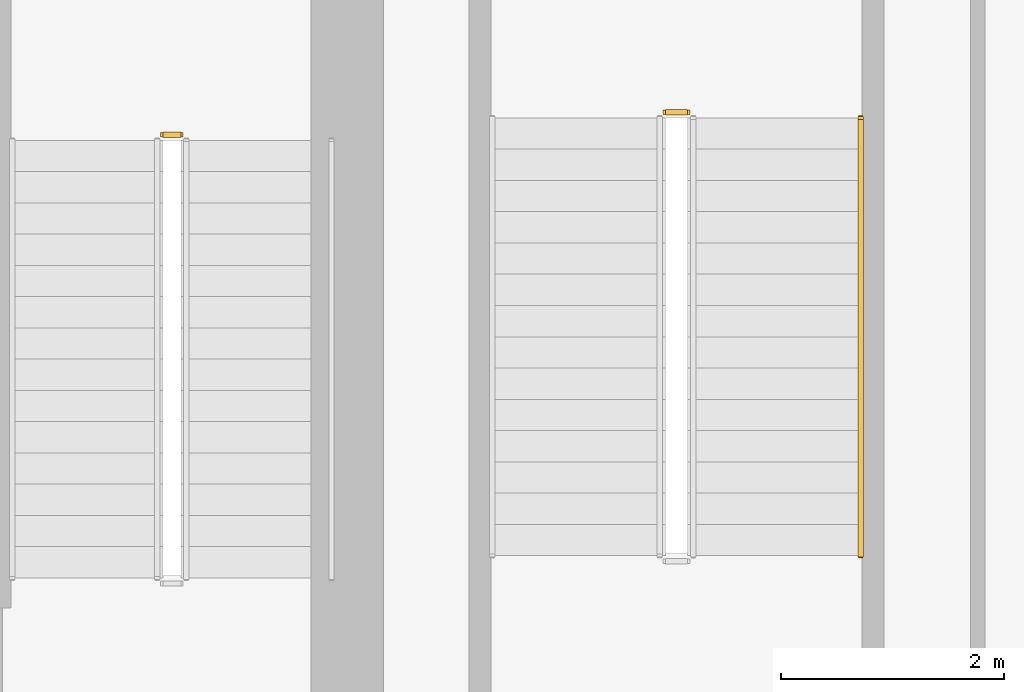
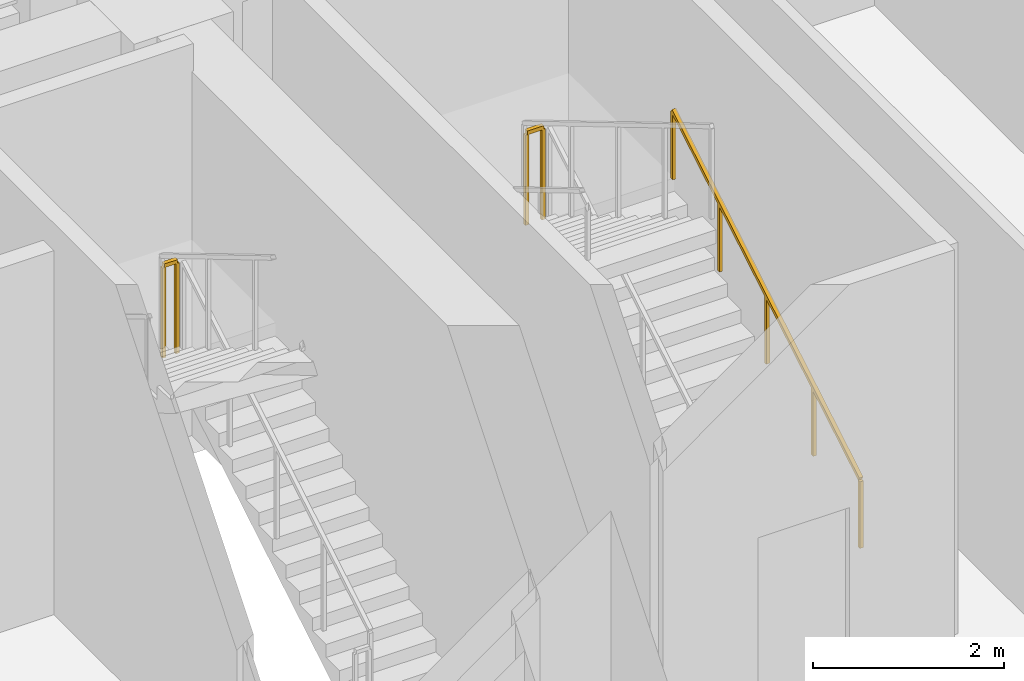
# One storey, part 13 of 14: 3 railings.
"""IFC4 building model written with IfcOpenShell, lengths in metres."""

from ifc_helpers import new_model, si_unit, direction, frame, origin, origin_2d, place, context, subcontext, project, spatial, rectangle, extrude, material, type_object, element, save


model = new_model("IFC4")

# Units and contexts
model_context = context("Model", 3, precision=1e-05, world=origin(), true_north=direction((0.0, 1.0)))
body_context = subcontext(model_context, "Body", "Model", "MODEL_VIEW")
ifc_project = project(units=[si_unit("LENGTHUNIT", "METRE"), si_unit("AREAUNIT", "SQUARE_METRE"), si_unit("VOLUMEUNIT", "CUBIC_METRE"), si_unit("PLANEANGLEUNIT", "RADIAN"), si_unit("MASSUNIT", "GRAM", prefix="KILO")], contexts=[model_context])

# Site, building, storey
site_placement = place(None, origin())
site = spatial("IfcSite", under=ifc_project, at=site_placement, CompositionType="ELEMENT")
building_placement = place(site_placement, origin())
building = spatial("IfcBuilding", under=site, at=building_placement, Name="Giltprow Tower", CompositionType="ELEMENT")
storey_placement = place(building_placement, frame((0.0, 0.0, 15.199951171875)))
storey = spatial("IfcBuildingStorey", under=building, at=storey_placement, Name="L04", CompositionType="ELEMENT", Elevation=15.199951171875)

# Railings
ifc_material = material(Name="Anodized bronze", Category="metal")
railing_type_1 = type_object("IfcRailingType", Name="RAIL-STAIR-GUARD-1200", PredefinedType="GUARDRAIL", material=ifc_material)
railing_1_placement = place(storey_placement, frame((49.06005859375, 43.52001953125, 2.5)))
element("IfcRailing", 1, at=railing_1_placement, inside=storey, type_object=railing_type_1, Name="L04 ST-3 stair guard 2", PredefinedType="GUARDRAIL", context=body_context, shape_type="SweptSolid", body=[
    extrude(rectangle(XDim=0.048095703125, YDim=0.048095703125, at=origin_2d()), frame((0.0, 0.0, 1.17578125), z_axis=(-1.0, 0.0, 0.0), x_axis=(0.0, -1.0, 0.0)), (0.0, 0.0, 1.0), 0.16015625),
    extrude(rectangle(XDim=0.0419921875, YDim=0.0419921875, at=origin_2d()), origin(), (0.0, 0.0, 1.0), 1.15185546875),
    extrude(rectangle(XDim=0.0419921875, YDim=0.0419921875, at=origin_2d()), frame((-0.16015625, 0.0, 0.0)), (0.0, 0.0, 1.0), 1.15185546875),
])
railing_2_placement = place(storey_placement, frame((53.60009765625, 43.719970703125, 2.5)))
element("IfcRailing", 2, at=railing_2_placement, inside=storey, type_object=railing_type_1, Name="L04 ST-P2 stair guard 2", PredefinedType="GUARDRAIL", context=body_context, shape_type="SweptSolid", body=[
    extrude(rectangle(XDim=0.048095703125, YDim=0.048095703125, at=origin_2d()), frame((0.0, 0.0, 1.17578125), z_axis=(-1.0, 0.0, 0.0), x_axis=(0.0, -1.0, 0.0)), (0.0, 0.0, 1.0), 0.2001953125),
    extrude(rectangle(XDim=0.0419921875, YDim=0.0419921875, at=origin_2d()), origin(), (0.0, 0.0, 1.0), 1.15185546875),
    extrude(rectangle(XDim=0.0419921875, YDim=0.0419921875, at=origin_2d()), frame((-0.2001953125, 0.0, 0.0)), (0.0, 0.0, 1.0), 1.15185546875),
])
railing_type_2 = type_object("IfcRailingType", Name="RAIL-STAIR-HAND-900", PredefinedType="HANDRAIL", material=ifc_material)
railing_3_placement = place(storey_placement, frame((55.14990234375, 39.75, 0.166748046875)))
element("IfcRailing", 3, at=railing_3_placement, inside=storey, type_object=railing_type_2, Name="L04 ST-P2 stair handrail 1", PredefinedType="HANDRAIL", context=body_context, shape_type="SweptSolid", body=[
    extrude(rectangle(XDim=0.048095703125, YDim=0.048095703125, at=origin_2d()), frame((0.0, 0.0, 0.8759765625), z_axis=(0.0, 0.859296244711, 0.511478214419), x_axis=(-1.0, 0.0, 0.0)), (0.0, 0.0, 1.0), 4.561767578125),
    extrude(rectangle(XDim=0.0419921875, YDim=0.0419921875, at=origin_2d()), origin(), (0.0, 0.0, 1.0), 0.851806640625),
    extrude(rectangle(XDim=0.0419921875, YDim=0.0419921875, at=origin_2d()), frame((0.0, 0.97998046875, 0.583251953125)), (0.0, 0.0, 1.0), 0.851806640625),
    extrude(rectangle(XDim=0.0419921875, YDim=0.0419921875, at=origin_2d()), frame((0.0, 1.9599609375, 1.16650390625)), (0.0, 0.0, 1.0), 0.851806640625),
    extrude(rectangle(XDim=0.0419921875, YDim=0.0419921875, at=origin_2d()), frame((0.0, 2.93994140625, 1.75)), (0.0, 0.0, 1.0), 0.851806640625),
    extrude(rectangle(XDim=0.0419921875, YDim=0.0419921875, at=origin_2d()), frame((0.0, 3.919921875, 2.333251953125)), (0.0, 0.0, 1.0), 0.851806640625),
])

save(model, "model.ifc")
